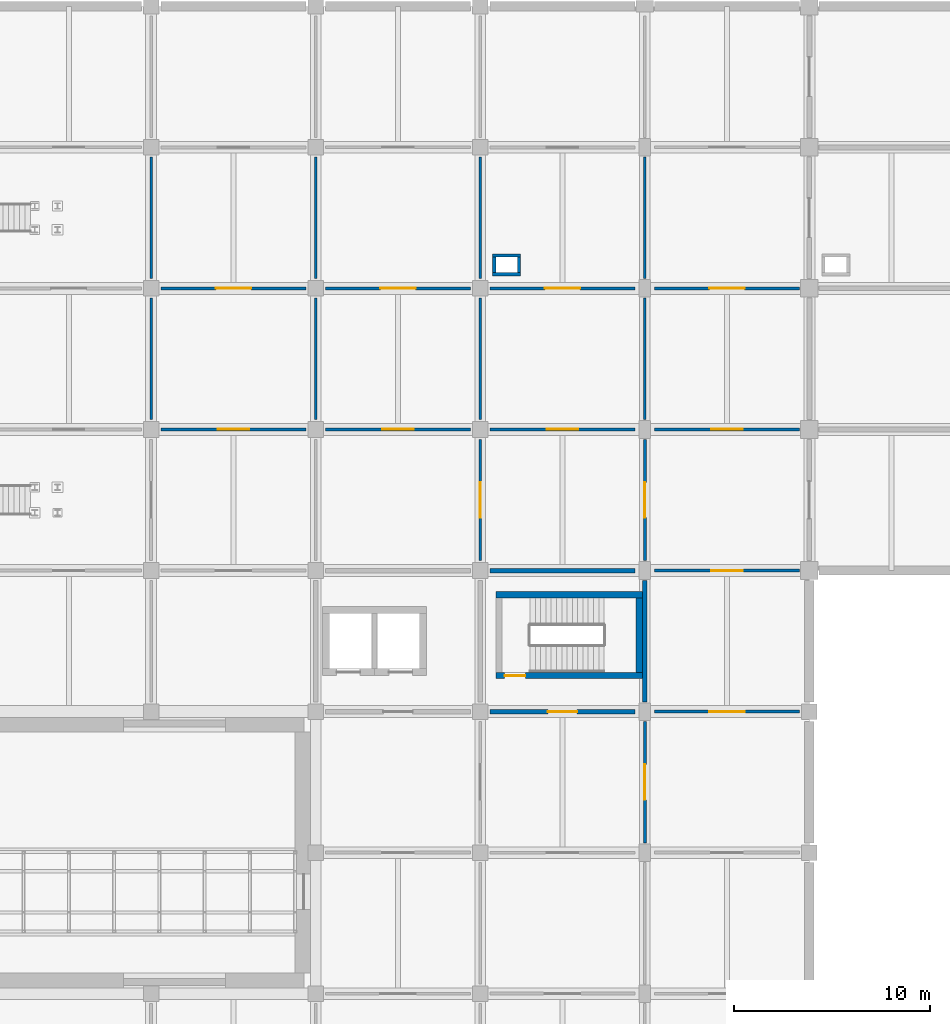
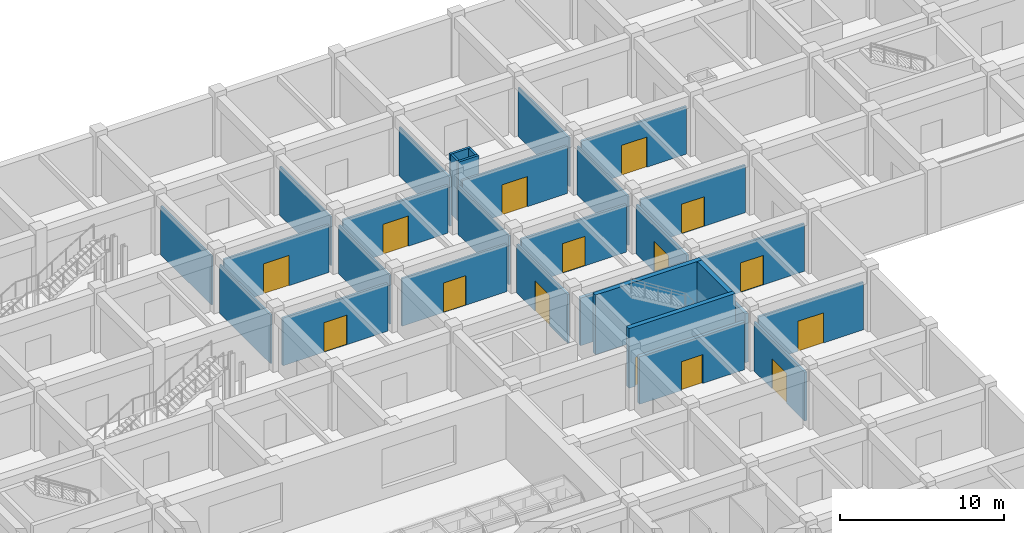
# One storey, part 20 of 32: 31 walls, 15 doors, 15 openings.
"""IFC4 building model written with IfcOpenShell, lengths in metres."""

from ifc_helpers import new_model, si_unit, derived_unit, direction, frame, frame_2d, origin, place, context, subcontext, project, spatial, rectangle, extrude, material, layer, layer_set, type_object, element, fill, save


model = new_model("IFC4")

# Units and contexts
model_context = context("Model", 3, precision=1e-05, world=origin(), true_north=direction((0.0, 1.0)))
body_context = subcontext(model_context, "Body", "Model", "MODEL_VIEW")
ifc_project = project(units=[si_unit("LENGTHUNIT", "METRE"), si_unit("AREAUNIT", "SQUARE_METRE"), si_unit("VOLUMEUNIT", "CUBIC_METRE"), si_unit("PLANEANGLEUNIT", "RADIAN"), si_unit("MASSUNIT", "GRAM", prefix="KILO"), derived_unit("THERMALTRANSMITTANCEUNIT", [(si_unit("MASSUNIT", "GRAM", prefix="KILO"), 1), (si_unit("TIMEUNIT", "SECOND"), -3), (si_unit("THERMODYNAMICTEMPERATUREUNIT", "KELVIN"), -1)])], contexts=[model_context])

# Site, building, storey
site_placement = place(None, origin())
site = spatial("IfcSite", under=ifc_project, at=site_placement, CompositionType="ELEMENT")
building_placement = place(site_placement, origin())
building = spatial("IfcBuilding", under=site, at=building_placement, Name="Veldstrom Oceanarium and Marine Research Institute", CompositionType="ELEMENT")
storey_placement = place(building_placement, frame((0.0, 0.0, -4.800048828125)))
storey = spatial("IfcBuildingStorey", under=building, at=storey_placement, Name="B01", CompositionType="ELEMENT", Elevation=-4.800048828125)

# Wall, opening, door
ifc_material_1 = material(Name="Masonry Fire Compartment Wall", Category="masonry")
ifc_layer_1 = layer(ifc_material_1, 0.22998046875)
ifc_layer_set_1 = layer_set([ifc_layer_1], Name="ARC-WAL-PT1")
wall_type_1 = type_object("IfcWallType", Name="ARC-WAL-PT1", PredefinedType="PARTITIONING", material=ifc_layer_set_1)
wall_1_placement = place(storey_placement, frame((50.89990234375, 36.0, 0.0), z_axis=(0.0, 0.0, 1.0), x_axis=(1.0, 0.0, 0.0)))
wall_1 = element("IfcWall", 1, at=wall_1_placement, inside=storey, type_object=wall_type_1, Name="Interior Partition PT1 B01-0401", PredefinedType="PARTITIONING", context=body_context, shape_type="SweptSolid", body=[
    extrude(rectangle(XDim=7.400146484375, YDim=0.22998046875, at=frame_2d((3.7001953125, 0.0))), origin(), (0.0, 0.0, 1.0), 3.545166015625),
])
opening_1_placement = place(wall_1_placement, frame((2.949951171875, 0.0, 0.0)))
opening_1 = element("IfcOpeningElement", 2, at=opening_1_placement, cuts=wall_1, Name="Opening D-B01-231", PredefinedType="OPENING", context=body_context, shape_type="SweptSolid", body=[
    extrude(rectangle(XDim=1.5, YDim=2.14990234375, at=frame_2d((0.75, 1.074951171875))), frame((0.0, 0.125, 0.0), z_axis=(0.0, -1.0, 0.0), x_axis=(1.0, 0.0, 0.0)), (0.0, 0.0, 1.0), 0.25),
])
ifc_material_2 = material(Name="Painted Steel Lobby Fire Door", Category="steel")
door_type_1 = type_object("IfcDoorType", Name="ARC-DOR-SD2", OperationType="DOUBLE_DOOR_SINGLE_SWING", PredefinedType="DOOR", material=ifc_material_2)
door_1_placement = place(opening_1_placement, frame((1.5, 0.0, 0.0), z_axis=(0.0, 0.0, 1.0), x_axis=(-1.0, 0.0, 0.0)))
door_1 = element("IfcDoor", 3, at=door_1_placement, inside=storey, type_object=door_type_1, Name="Interior Door D-B01-231", OperationType="DOUBLE_DOOR_SINGLE_SWING", OverallHeight=2.14990234375, OverallWidth=1.5, PredefinedType="DOOR", context=body_context, shape_type="SweptSolid", body=[
    extrude(rectangle(XDim=1.5, YDim=2.14990234375, at=frame_2d((0.75, 1.074951171875))), frame((0.0, 0.02490234375, 0.0), z_axis=(0.0, -1.0, 0.0), x_axis=(1.0, 0.0, 0.0)), (0.0, 0.0, 1.0), 0.050048828125),
])
fill(opening_1, door_1)

# Walls
wall_2_placement = place(storey_placement, frame((58.800048828125, 36.5, 0.0), z_axis=(0.0, 0.0, 1.0), x_axis=(0.0, 1.0, 0.0)))
element("IfcWall", 4, at=wall_2_placement, inside=storey, type_object=wall_type_1, Name="Interior Partition PT1 B01-0402", PredefinedType="PARTITIONING", context=body_context, shape_type="SweptSolid", body=[
    extrude(rectangle(XDim=6.199951171875, YDim=0.22998046875, at=frame_2d((3.10009765625, 0.0))), origin(), (0.0, 0.0, 1.0), 3.64501953125),
])
wall_3_placement = place(storey_placement, frame((50.89990234375, 43.199951171875, 0.0), z_axis=(0.0, 0.0, 1.0), x_axis=(1.0, 0.0, 0.0)))
element("IfcWall", 5, at=wall_3_placement, inside=storey, type_object=wall_type_1, Name="Interior Partition PT1 B01-0403", PredefinedType="PARTITIONING", context=body_context, shape_type="SweptSolid", body=[
    extrude(rectangle(XDim=7.400146484375, YDim=0.22998046875, at=frame_2d((3.7001953125, 0.0))), origin(), (0.0, 0.0, 1.0), 3.545166015625),
])

# Wall, opening, door
ifc_material_3 = material(Name="Drywall Corridor Partition", Category="gypsum")
ifc_layer_2 = layer(ifc_material_3, 0.155029296875)
ifc_layer_set_2 = layer_set([ifc_layer_2], Name="ARC-WAL-PT4")
wall_type_2 = type_object("IfcWallType", Name="ARC-WAL-PT4", PredefinedType="PARTITIONING", material=ifc_layer_set_2)
wall_4_placement = place(storey_placement, frame((34.10009765625, 50.39990234375, 0.0), z_axis=(0.0, 0.0, 1.0), x_axis=(1.0, 0.0, 0.0)))
wall_4 = element("IfcWall", 6, at=wall_4_placement, inside=storey, type_object=wall_type_2, Name="Interior Partition PT4 B01-0367", PredefinedType="PARTITIONING", context=body_context, shape_type="SweptSolid", body=[
    extrude(rectangle(XDim=7.39990234375, YDim=0.155029296875, at=frame_2d((3.699951171875, 0.0))), origin(), (0.0, 0.0, 1.0), 3.545166015625),
])
opening_2_placement = place(wall_4_placement, frame((2.89990234375, 0.0, 0.0)))
opening_2 = element("IfcOpeningElement", 7, at=opening_2_placement, cuts=wall_4, Name="Opening D-B01-213", PredefinedType="OPENING", context=body_context, shape_type="SweptSolid", body=[
    extrude(rectangle(XDim=1.60009765625, YDim=2.199951171875, at=frame_2d((0.800048828125, 1.10009765625))), frame((0.0, 0.08740234375, 0.0), z_axis=(0.0, -1.0, 0.0), x_axis=(1.0, 0.0, 0.0)), (0.0, 0.0, 1.0), 0.175048828125),
])
ifc_material_4 = material(Name="Acoustic Timber Corridor Door", Category="wood")
door_type_2 = type_object("IfcDoorType", Name="ARC-DOR-ID02", OperationType="DOUBLE_DOOR_SINGLE_SWING", PredefinedType="DOOR", material=ifc_material_4)
door_2_placement = place(opening_2_placement, frame((1.60009765625, 0.0, 0.0), z_axis=(0.0, 0.0, 1.0), x_axis=(-1.0, 0.0, 0.0)))
door_2 = element("IfcDoor", 8, at=door_2_placement, inside=storey, type_object=door_type_2, Name="Interior Door D-B01-213", OperationType="DOUBLE_DOOR_SINGLE_SWING", OverallHeight=2.199951171875, OverallWidth=1.60009765625, PredefinedType="DOOR", context=body_context, shape_type="SweptSolid", body=[
    extrude(rectangle(XDim=1.60009765625, YDim=2.199951171875, at=frame_2d((0.800048828125, 1.10009765625))), frame((0.0, 0.02490234375, 0.0), z_axis=(0.0, -1.0, 0.0), x_axis=(1.0, 0.0, 0.0)), (0.0, 0.0, 1.0), 0.050048828125),
])
fill(opening_2, door_2)

wall_5_placement = place(storey_placement, frame((42.5, 57.60009765625, 0.0), z_axis=(0.0, 0.0, 1.0), x_axis=(1.0, 0.0, 0.0)))
wall_5 = element("IfcWall", 9, at=wall_5_placement, inside=storey, type_object=wall_type_2, Name="Interior Partition PT4 B01-0388", PredefinedType="PARTITIONING", context=body_context, shape_type="SweptSolid", body=[
    extrude(rectangle(XDim=7.39990234375, YDim=0.155029296875, at=frame_2d((3.699951171875, 0.0))), origin(), (0.0, 0.0, 1.0), 3.545166015625),
])
opening_3_placement = place(wall_5_placement, frame((2.800048828125, 0.0, 0.0)))
opening_3 = element("IfcOpeningElement", 10, at=opening_3_placement, cuts=wall_5, Name="Opening D-B01-224", PredefinedType="OPENING", context=body_context, shape_type="SweptSolid", body=[
    extrude(rectangle(XDim=1.800048828125, YDim=2.25, at=frame_2d((0.89990234375, 1.125))), frame((0.0, 0.08740234375, 0.0), z_axis=(0.0, -1.0, 0.0), x_axis=(1.0, 0.0, 0.0)), (0.0, 0.0, 1.0), 0.175048828125),
])
ifc_material_5 = material(Name="Acoustic Timber Gallery Door", Category="wood")
door_type_3 = type_object("IfcDoorType", Name="ARC-DOR-ID01", OperationType="DOUBLE_DOOR_SINGLE_SWING", PredefinedType="DOOR", material=ifc_material_5)
door_3_placement = place(opening_3_placement, frame((1.800048828125, 0.0, 0.0), z_axis=(0.0, 0.0, 1.0), x_axis=(-1.0, 0.0, 0.0)))
door_3 = element("IfcDoor", 11, at=door_3_placement, inside=storey, type_object=door_type_3, Name="Interior Door D-B01-224", OperationType="DOUBLE_DOOR_SINGLE_SWING", OverallHeight=2.25, OverallWidth=1.800048828125, PredefinedType="DOOR", context=body_context, shape_type="SweptSolid", body=[
    extrude(rectangle(XDim=1.800048828125, YDim=2.25, at=frame_2d((0.89990234375, 1.125))), frame((0.0, 0.02490234375, 0.0), z_axis=(0.0, -1.0, 0.0), x_axis=(1.0, 0.0, 0.0)), (0.0, 0.0, 1.0), 0.050048828125),
])
fill(opening_3, door_3)

wall_6_placement = place(storey_placement, frame((58.800048828125, 29.300048828125, 0.0), z_axis=(0.0, 0.0, 1.0), x_axis=(0.0, 1.0, 0.0)))
wall_6 = element("IfcWall", 12, at=wall_6_placement, inside=storey, type_object=wall_type_2, Name="Interior Partition PT4 B01-0400", PredefinedType="PARTITIONING", context=body_context, shape_type="SweptSolid", body=[
    extrude(rectangle(XDim=6.199951171875, YDim=0.155029296875, at=frame_2d((3.10009765625, 0.0))), origin(), (0.0, 0.0, 1.0), 3.64501953125),
])
opening_4_placement = place(wall_6_placement, frame((2.199951171875, 0.0, 0.0)))
opening_4 = element("IfcOpeningElement", 13, at=opening_4_placement, cuts=wall_6, Name="Opening D-B01-230", PredefinedType="OPENING", context=body_context, shape_type="SweptSolid", body=[
    extrude(rectangle(XDim=1.800048828125, YDim=2.25, at=frame_2d((0.89990234375, 1.125))), frame((0.0, 0.08740234375, 0.0), z_axis=(0.0, -1.0, 0.0), x_axis=(1.0, 0.0, 0.0)), (0.0, 0.0, 1.0), 0.175048828125),
])
door_4_placement = place(opening_4_placement, origin())
door_4 = element("IfcDoor", 14, at=door_4_placement, inside=storey, type_object=door_type_3, Name="Interior Door D-B01-230", OperationType="DOUBLE_DOOR_SINGLE_SWING", OverallHeight=2.25, OverallWidth=1.800048828125, PredefinedType="DOOR", context=body_context, shape_type="SweptSolid", body=[
    extrude(rectangle(XDim=1.800048828125, YDim=2.25, at=frame_2d((0.89990234375, 1.125))), frame((0.0, 0.02490234375, 0.0), z_axis=(0.0, -1.0, 0.0), x_axis=(1.0, 0.0, 0.0)), (0.0, 0.0, 1.0), 0.050048828125),
])
fill(opening_4, door_4)

wall_7_placement = place(storey_placement, frame((58.800048828125, 43.699951171875, 0.0), z_axis=(0.0, 0.0, 1.0), x_axis=(0.0, 1.0, 0.0)))
wall_7 = element("IfcWall", 15, at=wall_7_placement, inside=storey, type_object=wall_type_2, Name="Interior Partition PT4 B01-0404", PredefinedType="PARTITIONING", context=body_context, shape_type="SweptSolid", body=[
    extrude(rectangle(XDim=6.199951171875, YDim=0.155029296875, at=frame_2d((3.10009765625, 0.0))), origin(), (0.0, 0.0, 1.0), 3.64501953125),
])
opening_5_placement = place(wall_7_placement, frame((2.199951171875, 0.0, 0.0)))
opening_5 = element("IfcOpeningElement", 16, at=opening_5_placement, cuts=wall_7, Name="Opening D-B01-232", PredefinedType="OPENING", context=body_context, shape_type="SweptSolid", body=[
    extrude(rectangle(XDim=1.800048828125, YDim=2.25, at=frame_2d((0.89990234375, 1.125))), frame((0.0, 0.08740234375, 0.0), z_axis=(0.0, -1.0, 0.0), x_axis=(1.0, 0.0, 0.0)), (0.0, 0.0, 1.0), 0.175048828125),
])
door_5_placement = place(opening_5_placement, origin())
door_5 = element("IfcDoor", 17, at=door_5_placement, inside=storey, type_object=door_type_3, Name="Interior Door D-B01-232", OperationType="DOUBLE_DOOR_SINGLE_SWING", OverallHeight=2.25, OverallWidth=1.800048828125, PredefinedType="DOOR", context=body_context, shape_type="SweptSolid", body=[
    extrude(rectangle(XDim=1.800048828125, YDim=2.25, at=frame_2d((0.89990234375, 1.125))), frame((0.0, 0.02490234375, 0.0), z_axis=(0.0, -1.0, 0.0), x_axis=(1.0, 0.0, 0.0)), (0.0, 0.0, 1.0), 0.050048828125),
])
fill(opening_5, door_5)

wall_8_placement = place(storey_placement, frame((50.89990234375, 50.39990234375, 0.0), z_axis=(0.0, 0.0, 1.0), x_axis=(1.0, 0.0, 0.0)))
wall_8 = element("IfcWall", 18, at=wall_8_placement, inside=storey, type_object=wall_type_2, Name="Interior Partition PT4 B01-0405", PredefinedType="PARTITIONING", context=body_context, shape_type="SweptSolid", body=[
    extrude(rectangle(XDim=7.400146484375, YDim=0.155029296875, at=frame_2d((3.7001953125, 0.0))), origin(), (0.0, 0.0, 1.0), 3.545166015625),
])
opening_6_placement = place(wall_8_placement, frame((2.89990234375, 0.0, 0.0)))
opening_6 = element("IfcOpeningElement", 19, at=opening_6_placement, cuts=wall_8, Name="Opening D-B01-233", PredefinedType="OPENING", context=body_context, shape_type="SweptSolid", body=[
    extrude(rectangle(XDim=1.60009765625, YDim=2.199951171875, at=frame_2d((0.800048828125, 1.10009765625))), frame((0.0, 0.08740234375, 0.0), z_axis=(0.0, -1.0, 0.0), x_axis=(1.0, 0.0, 0.0)), (0.0, 0.0, 1.0), 0.175048828125),
])
door_6_placement = place(opening_6_placement, frame((1.60009765625, 0.0, 0.0), z_axis=(0.0, 0.0, 1.0), x_axis=(-1.0, 0.0, 0.0)))
door_6 = element("IfcDoor", 20, at=door_6_placement, inside=storey, type_object=door_type_2, Name="Interior Door D-B01-233", OperationType="DOUBLE_DOOR_SINGLE_SWING", OverallHeight=2.199951171875, OverallWidth=1.60009765625, PredefinedType="DOOR", context=body_context, shape_type="SweptSolid", body=[
    extrude(rectangle(XDim=1.60009765625, YDim=2.199951171875, at=frame_2d((0.800048828125, 1.10009765625))), frame((0.0, 0.02490234375, 0.0), z_axis=(0.0, -1.0, 0.0), x_axis=(1.0, 0.0, 0.0)), (0.0, 0.0, 1.0), 0.050048828125),
])
fill(opening_6, door_6)

wall_9_placement = place(storey_placement, frame((59.300048828125, 43.199951171875, 0.0), z_axis=(0.0, 0.0, 1.0), x_axis=(1.0, 0.0, 0.0)))
wall_9 = element("IfcWall", 21, at=wall_9_placement, inside=storey, type_object=wall_type_2, Name="Interior Partition PT4 B01-0416", PredefinedType="PARTITIONING", context=body_context, shape_type="SweptSolid", body=[
    extrude(rectangle(XDim=7.39990234375, YDim=0.155029296875, at=frame_2d((3.699951171875, 0.0))), origin(), (0.0, 0.0, 1.0), 3.545166015625),
])
opening_7_placement = place(wall_9_placement, frame((2.89990234375, 0.0, 0.0)))
opening_7 = element("IfcOpeningElement", 22, at=opening_7_placement, cuts=wall_9, Name="Opening D-B01-241", PredefinedType="OPENING", context=body_context, shape_type="SweptSolid", body=[
    extrude(rectangle(XDim=1.60009765625, YDim=2.199951171875, at=frame_2d((0.800048828125, 1.10009765625))), frame((0.0, 0.08740234375, 0.0), z_axis=(0.0, -1.0, 0.0), x_axis=(1.0, 0.0, 0.0)), (0.0, 0.0, 1.0), 0.175048828125),
])
door_7_placement = place(opening_7_placement, frame((1.60009765625, 0.0, 0.0), z_axis=(0.0, 0.0, 1.0), x_axis=(-1.0, 0.0, 0.0)))
door_7 = element("IfcDoor", 23, at=door_7_placement, inside=storey, type_object=door_type_2, Name="Interior Door D-B01-241", OperationType="DOUBLE_DOOR_SINGLE_SWING", OverallHeight=2.199951171875, OverallWidth=1.60009765625, PredefinedType="DOOR", context=body_context, shape_type="SweptSolid", body=[
    extrude(rectangle(XDim=1.60009765625, YDim=2.199951171875, at=frame_2d((0.800048828125, 1.10009765625))), frame((0.0, 0.02490234375, 0.0), z_axis=(0.0, -1.0, 0.0), x_axis=(1.0, 0.0, 0.0)), (0.0, 0.0, 1.0), 0.050048828125),
])
fill(opening_7, door_7)

wall_10_placement = place(storey_placement, frame((59.300048828125, 57.60009765625, 0.0), z_axis=(0.0, 0.0, 1.0), x_axis=(1.0, 0.0, 0.0)))
wall_10 = element("IfcWall", 24, at=wall_10_placement, inside=storey, type_object=wall_type_2, Name="Interior Partition PT4 B01-0420", PredefinedType="PARTITIONING", context=body_context, shape_type="SweptSolid", body=[
    extrude(rectangle(XDim=7.39990234375, YDim=0.155029296875, at=frame_2d((3.699951171875, 0.0))), origin(), (0.0, 0.0, 1.0), 3.545166015625),
])
opening_8_placement = place(wall_10_placement, frame((2.800048828125, 0.0, 0.0)))
opening_8 = element("IfcOpeningElement", 25, at=opening_8_placement, cuts=wall_10, Name="Opening D-B01-244", PredefinedType="OPENING", context=body_context, shape_type="SweptSolid", body=[
    extrude(rectangle(XDim=1.800048828125, YDim=2.25, at=frame_2d((0.89990234375, 1.125))), frame((0.0, 0.08740234375, 0.0), z_axis=(0.0, -1.0, 0.0), x_axis=(1.0, 0.0, 0.0)), (0.0, 0.0, 1.0), 0.175048828125),
])
door_8_placement = place(opening_8_placement, frame((1.800048828125, 0.0, 0.0), z_axis=(0.0, 0.0, 1.0), x_axis=(-1.0, 0.0, 0.0)))
door_8 = element("IfcDoor", 26, at=door_8_placement, inside=storey, type_object=door_type_3, Name="Interior Door D-B01-244", OperationType="DOUBLE_DOOR_SINGLE_SWING", OverallHeight=2.25, OverallWidth=1.800048828125, PredefinedType="DOOR", context=body_context, shape_type="SweptSolid", body=[
    extrude(rectangle(XDim=1.800048828125, YDim=2.25, at=frame_2d((0.89990234375, 1.125))), frame((0.0, 0.02490234375, 0.0), z_axis=(0.0, -1.0, 0.0), x_axis=(1.0, 0.0, 0.0)), (0.0, 0.0, 1.0), 0.050048828125),
])
fill(opening_8, door_8)

ifc_material_6 = material(Name="Moisture-Resistant Wet-Area Partition", Category="masonry")
ifc_layer_3 = layer(ifc_material_6, 0.139892578125)
ifc_layer_set_3 = layer_set([ifc_layer_3], Name="ARC-WAL-PT5")
wall_type_3 = type_object("IfcWallType", Name="ARC-WAL-PT5", PredefinedType="PARTITIONING", material=ifc_layer_set_3)
wall_11_placement = place(storey_placement, frame((34.10009765625, 57.60009765625, 0.0), z_axis=(0.0, 0.0, 1.0), x_axis=(1.0, 0.0, 0.0)))
wall_11 = element("IfcWall", 27, at=wall_11_placement, inside=storey, type_object=wall_type_3, Name="Interior Partition PT5 B01-0369", PredefinedType="PARTITIONING", context=body_context, shape_type="SweptSolid", body=[
    extrude(rectangle(XDim=7.39990234375, YDim=0.139892578125, at=frame_2d((3.699951171875, 0.0))), origin(), (0.0, 0.0, 1.0), 3.545166015625),
])
opening_9_placement = place(wall_11_placement, frame((2.800048828125, 0.0, 0.0)))
opening_9 = element("IfcOpeningElement", 28, at=opening_9_placement, cuts=wall_11, Name="Opening D-B01-214", PredefinedType="OPENING", context=body_context, shape_type="SweptSolid", body=[
    extrude(rectangle(XDim=1.800048828125, YDim=2.25, at=frame_2d((0.89990234375, 1.125))), frame((0.0, 0.079833984375, 0.0), z_axis=(0.0, -1.0, 0.0), x_axis=(1.0, 0.0, 0.0)), (0.0, 0.0, 1.0), 0.159912109375),
])
door_9_placement = place(opening_9_placement, origin())
door_9 = element("IfcDoor", 29, at=door_9_placement, inside=storey, type_object=door_type_3, Name="Interior Door D-B01-214", OperationType="DOUBLE_DOOR_SINGLE_SWING", OverallHeight=2.25, OverallWidth=1.800048828125, PredefinedType="DOOR", context=body_context, shape_type="SweptSolid", body=[
    extrude(rectangle(XDim=1.800048828125, YDim=2.25, at=frame_2d((0.89990234375, 1.125))), frame((0.0, 0.02490234375, 0.0), z_axis=(0.0, -1.0, 0.0), x_axis=(1.0, 0.0, 0.0)), (0.0, 0.0, 1.0), 0.050048828125),
])
fill(opening_9, door_9)

wall_12_placement = place(storey_placement, frame((50.39990234375, 43.699951171875, 0.0), z_axis=(0.0, 0.0, 1.0), x_axis=(0.0, 1.0, 0.0)))
wall_12 = element("IfcWall", 30, at=wall_12_placement, inside=storey, type_object=wall_type_3, Name="Interior Partition PT5 B01-0385", PredefinedType="PARTITIONING", context=body_context, shape_type="SweptSolid", body=[
    extrude(rectangle(XDim=6.199951171875, YDim=0.139892578125, at=frame_2d((3.10009765625, 0.0))), origin(), (0.0, 0.0, 1.0), 3.64501953125),
])
opening_10_placement = place(wall_12_placement, frame((2.199951171875, 0.0, 0.0)))
opening_10 = element("IfcOpeningElement", 31, at=opening_10_placement, cuts=wall_12, Name="Opening D-B01-222", PredefinedType="OPENING", context=body_context, shape_type="SweptSolid", body=[
    extrude(rectangle(XDim=1.800048828125, YDim=2.25, at=frame_2d((0.89990234375, 1.125))), frame((0.0, 0.079833984375, 0.0), z_axis=(0.0, -1.0, 0.0), x_axis=(1.0, 0.0, 0.0)), (0.0, 0.0, 1.0), 0.159912109375),
])
door_10_placement = place(opening_10_placement, frame((1.800048828125, 0.0, 0.0), z_axis=(0.0, 0.0, 1.0), x_axis=(-1.0, 0.0, 0.0)))
door_10 = element("IfcDoor", 32, at=door_10_placement, inside=storey, type_object=door_type_3, Name="Interior Door D-B01-222", OperationType="DOUBLE_DOOR_SINGLE_SWING", OverallHeight=2.25, OverallWidth=1.800048828125, PredefinedType="DOOR", context=body_context, shape_type="SweptSolid", body=[
    extrude(rectangle(XDim=1.800048828125, YDim=2.25, at=frame_2d((0.89990234375, 1.125))), frame((0.0, 0.02490234375, 0.0), z_axis=(0.0, -1.0, 0.0), x_axis=(1.0, 0.0, 0.0)), (0.0, 0.0, 1.0), 0.050048828125),
])
fill(opening_10, door_10)

wall_13_placement = place(storey_placement, frame((42.5, 50.39990234375, 0.0), z_axis=(0.0, 0.0, 1.0), x_axis=(1.0, 0.0, 0.0)))
wall_13 = element("IfcWall", 33, at=wall_13_placement, inside=storey, type_object=wall_type_3, Name="Interior Partition PT5 B01-0386", PredefinedType="PARTITIONING", context=body_context, shape_type="SweptSolid", body=[
    extrude(rectangle(XDim=7.39990234375, YDim=0.139892578125, at=frame_2d((3.699951171875, 0.0))), origin(), (0.0, 0.0, 1.0), 3.545166015625),
])
opening_11_placement = place(wall_13_placement, frame((2.89990234375, 0.0, 0.0)))
opening_11 = element("IfcOpeningElement", 34, at=opening_11_placement, cuts=wall_13, Name="Opening D-B01-223", PredefinedType="OPENING", context=body_context, shape_type="SweptSolid", body=[
    extrude(rectangle(XDim=1.60009765625, YDim=2.199951171875, at=frame_2d((0.800048828125, 1.10009765625))), frame((0.0, 0.079833984375, 0.0), z_axis=(0.0, -1.0, 0.0), x_axis=(1.0, 0.0, 0.0)), (0.0, 0.0, 1.0), 0.159912109375),
])
door_11_placement = place(opening_11_placement, origin())
door_11 = element("IfcDoor", 35, at=door_11_placement, inside=storey, type_object=door_type_2, Name="Interior Door D-B01-223", OperationType="DOUBLE_DOOR_SINGLE_SWING", OverallHeight=2.199951171875, OverallWidth=1.60009765625, PredefinedType="DOOR", context=body_context, shape_type="SweptSolid", body=[
    extrude(rectangle(XDim=1.60009765625, YDim=2.199951171875, at=frame_2d((0.800048828125, 1.10009765625))), frame((0.0, 0.02490234375, 0.0), z_axis=(0.0, -1.0, 0.0), x_axis=(1.0, 0.0, 0.0)), (0.0, 0.0, 1.0), 0.050048828125),
])
fill(opening_11, door_11)

wall_14_placement = place(storey_placement, frame((50.89990234375, 57.60009765625, 0.0), z_axis=(0.0, 0.0, 1.0), x_axis=(1.0, 0.0, 0.0)))
wall_14 = element("IfcWall", 36, at=wall_14_placement, inside=storey, type_object=wall_type_3, Name="Interior Partition PT5 B01-0407", PredefinedType="PARTITIONING", context=body_context, shape_type="SweptSolid", body=[
    extrude(rectangle(XDim=7.400146484375, YDim=0.139892578125, at=frame_2d((3.7001953125, 0.0))), origin(), (0.0, 0.0, 1.0), 3.545166015625),
])
opening_12_placement = place(wall_14_placement, frame((2.800048828125, 0.0, 0.0)))
opening_12 = element("IfcOpeningElement", 37, at=opening_12_placement, cuts=wall_14, Name="Opening D-B01-234", PredefinedType="OPENING", context=body_context, shape_type="SweptSolid", body=[
    extrude(rectangle(XDim=1.800048828125, YDim=2.25, at=frame_2d((0.89990234375, 1.125))), frame((0.0, 0.079833984375, 0.0), z_axis=(0.0, -1.0, 0.0), x_axis=(1.0, 0.0, 0.0)), (0.0, 0.0, 1.0), 0.159912109375),
])
door_12_placement = place(opening_12_placement, origin())
door_12 = element("IfcDoor", 38, at=door_12_placement, inside=storey, type_object=door_type_3, Name="Interior Door D-B01-234", OperationType="DOUBLE_DOOR_SINGLE_SWING", OverallHeight=2.25, OverallWidth=1.800048828125, PredefinedType="DOOR", context=body_context, shape_type="SweptSolid", body=[
    extrude(rectangle(XDim=1.800048828125, YDim=2.25, at=frame_2d((0.89990234375, 1.125))), frame((0.0, 0.02490234375, 0.0), z_axis=(0.0, -1.0, 0.0), x_axis=(1.0, 0.0, 0.0)), (0.0, 0.0, 1.0), 0.050048828125),
])
fill(opening_12, door_12)

wall_15_placement = place(storey_placement, frame((59.300048828125, 36.0, 0.0), z_axis=(0.0, 0.0, 1.0), x_axis=(1.0, 0.0, 0.0)))
wall_15 = element("IfcWall", 39, at=wall_15_placement, inside=storey, type_object=wall_type_3, Name="Interior Partition PT5 B01-0415", PredefinedType="PARTITIONING", context=body_context, shape_type="SweptSolid", body=[
    extrude(rectangle(XDim=7.39990234375, YDim=0.139892578125, at=frame_2d((3.699951171875, 0.0))), origin(), (0.0, 0.0, 1.0), 3.545166015625),
])
opening_13_placement = place(wall_15_placement, frame((2.800048828125, 0.0, 0.0)))
opening_13 = element("IfcOpeningElement", 40, at=opening_13_placement, cuts=wall_15, Name="Opening D-B01-240", PredefinedType="OPENING", context=body_context, shape_type="SweptSolid", body=[
    extrude(rectangle(XDim=1.800048828125, YDim=2.25, at=frame_2d((0.89990234375, 1.125))), frame((0.0, 0.079833984375, 0.0), z_axis=(0.0, -1.0, 0.0), x_axis=(1.0, 0.0, 0.0)), (0.0, 0.0, 1.0), 0.159912109375),
])
door_13_placement = place(opening_13_placement, origin())
door_13 = element("IfcDoor", 41, at=door_13_placement, inside=storey, type_object=door_type_3, Name="Interior Door D-B01-240", OperationType="DOUBLE_DOOR_SINGLE_SWING", OverallHeight=2.25, OverallWidth=1.800048828125, PredefinedType="DOOR", context=body_context, shape_type="SweptSolid", body=[
    extrude(rectangle(XDim=1.800048828125, YDim=2.25, at=frame_2d((0.89990234375, 1.125))), frame((0.0, 0.02490234375, 0.0), z_axis=(0.0, -1.0, 0.0), x_axis=(1.0, 0.0, 0.0)), (0.0, 0.0, 1.0), 0.050048828125),
])
fill(opening_13, door_13)

wall_16_placement = place(storey_placement, frame((59.300048828125, 50.39990234375, 0.0), z_axis=(0.0, 0.0, 1.0), x_axis=(1.0, 0.0, 0.0)))
wall_16 = element("IfcWall", 42, at=wall_16_placement, inside=storey, type_object=wall_type_3, Name="Interior Partition PT5 B01-0418", PredefinedType="PARTITIONING", context=body_context, shape_type="SweptSolid", body=[
    extrude(rectangle(XDim=7.39990234375, YDim=0.139892578125, at=frame_2d((3.699951171875, 0.0))), origin(), (0.0, 0.0, 1.0), 3.545166015625),
])
opening_14_placement = place(wall_16_placement, frame((2.89990234375, 0.0, 0.0)))
opening_14 = element("IfcOpeningElement", 43, at=opening_14_placement, cuts=wall_16, Name="Opening D-B01-243", PredefinedType="OPENING", context=body_context, shape_type="SweptSolid", body=[
    extrude(rectangle(XDim=1.60009765625, YDim=2.199951171875, at=frame_2d((0.800048828125, 1.10009765625))), frame((0.0, 0.079833984375, 0.0), z_axis=(0.0, -1.0, 0.0), x_axis=(1.0, 0.0, 0.0)), (0.0, 0.0, 1.0), 0.159912109375),
])
door_14_placement = place(opening_14_placement, origin())
door_14 = element("IfcDoor", 44, at=door_14_placement, inside=storey, type_object=door_type_2, Name="Interior Door D-B01-243", OperationType="DOUBLE_DOOR_SINGLE_SWING", OverallHeight=2.199951171875, OverallWidth=1.60009765625, PredefinedType="DOOR", context=body_context, shape_type="SweptSolid", body=[
    extrude(rectangle(XDim=1.60009765625, YDim=2.199951171875, at=frame_2d((0.800048828125, 1.10009765625))), frame((0.0, 0.02490234375, 0.0), z_axis=(0.0, -1.0, 0.0), x_axis=(1.0, 0.0, 0.0)), (0.0, 0.0, 1.0), 0.050048828125),
])
fill(opening_14, door_14)

# Walls
ifc_material_7 = material(Name="Lightweight Studio Partition", Category="gypsum")
ifc_layer_4 = layer(ifc_material_7, 0.1201171875)
ifc_layer_set_4 = layer_set([ifc_layer_4], Name="ARC-WAL-PT6")
wall_type_4 = type_object("IfcWallType", Name="ARC-WAL-PT6", PredefinedType="PARTITIONING", material=ifc_layer_set_4)
wall_17_placement = place(storey_placement, frame((33.60009765625, 50.89990234375, 0.0), z_axis=(0.0, 0.0, 1.0), x_axis=(0.0, 1.0, 0.0)))
element("IfcWall", 45, at=wall_17_placement, inside=storey, type_object=wall_type_4, Name="Interior Partition PT6 B01-0354", PredefinedType="PARTITIONING", context=body_context, shape_type="SweptSolid", body=[
    extrude(rectangle(XDim=6.2001953125, YDim=0.1201171875, at=frame_2d((3.10009765625, 0.0))), origin(), (0.0, 0.0, 1.0), 3.64501953125),
])
wall_18_placement = place(storey_placement, frame((33.60009765625, 58.10009765625, 0.0), z_axis=(0.0, 0.0, 1.0), x_axis=(0.0, 1.0, 0.0)))
element("IfcWall", 46, at=wall_18_placement, inside=storey, type_object=wall_type_4, Name="Interior Partition PT6 B01-0356", PredefinedType="PARTITIONING", context=body_context, shape_type="SweptSolid", body=[
    extrude(rectangle(XDim=6.199951171875, YDim=0.1201171875, at=frame_2d((3.10009765625, 0.0))), origin(), (0.0, 0.0, 1.0), 3.64501953125),
])
wall_19_placement = place(storey_placement, frame((42.0, 50.89990234375, 0.0), z_axis=(0.0, 0.0, 1.0), x_axis=(0.0, 1.0, 0.0)))
element("IfcWall", 47, at=wall_19_placement, inside=storey, type_object=wall_type_4, Name="Interior Partition PT6 B01-0368", PredefinedType="PARTITIONING", context=body_context, shape_type="SweptSolid", body=[
    extrude(rectangle(XDim=6.2001953125, YDim=0.1201171875, at=frame_2d((3.10009765625, 0.0))), origin(), (0.0, 0.0, 1.0), 3.64501953125),
])
wall_20_placement = place(storey_placement, frame((42.0, 58.10009765625, 0.0), z_axis=(0.0, 0.0, 1.0), x_axis=(0.0, 1.0, 0.0)))
element("IfcWall", 48, at=wall_20_placement, inside=storey, type_object=wall_type_4, Name="Interior Partition PT6 B01-0370", PredefinedType="PARTITIONING", context=body_context, shape_type="SweptSolid", body=[
    extrude(rectangle(XDim=6.199951171875, YDim=0.1201171875, at=frame_2d((3.10009765625, 0.0))), origin(), (0.0, 0.0, 1.0), 3.64501953125),
])
wall_21_placement = place(storey_placement, frame((50.39990234375, 50.89990234375, 0.0), z_axis=(0.0, 0.0, 1.0), x_axis=(0.0, 1.0, 0.0)))
element("IfcWall", 49, at=wall_21_placement, inside=storey, type_object=wall_type_4, Name="Interior Partition PT6 B01-0387", PredefinedType="PARTITIONING", context=body_context, shape_type="SweptSolid", body=[
    extrude(rectangle(XDim=6.2001953125, YDim=0.1201171875, at=frame_2d((3.10009765625, 0.0))), origin(), (0.0, 0.0, 1.0), 3.64501953125),
])
wall_22_placement = place(storey_placement, frame((50.39990234375, 58.10009765625, 0.0), z_axis=(0.0, 0.0, 1.0), x_axis=(0.0, 1.0, 0.0)))
element("IfcWall", 50, at=wall_22_placement, inside=storey, type_object=wall_type_4, Name="Interior Partition PT6 B01-0389", PredefinedType="PARTITIONING", context=body_context, shape_type="SweptSolid", body=[
    extrude(rectangle(XDim=6.199951171875, YDim=0.1201171875, at=frame_2d((3.10009765625, 0.0))), origin(), (0.0, 0.0, 1.0), 3.64501953125),
])
wall_23_placement = place(storey_placement, frame((58.800048828125, 50.89990234375, 0.0), z_axis=(0.0, 0.0, 1.0), x_axis=(0.0, 1.0, 0.0)))
element("IfcWall", 51, at=wall_23_placement, inside=storey, type_object=wall_type_4, Name="Interior Partition PT6 B01-0406", PredefinedType="PARTITIONING", context=body_context, shape_type="SweptSolid", body=[
    extrude(rectangle(XDim=6.2001953125, YDim=0.1201171875, at=frame_2d((3.10009765625, 0.0))), origin(), (0.0, 0.0, 1.0), 3.64501953125),
])
wall_24_placement = place(storey_placement, frame((58.800048828125, 58.10009765625, 0.0), z_axis=(0.0, 0.0, 1.0), x_axis=(0.0, 1.0, 0.0)))
element("IfcWall", 52, at=wall_24_placement, inside=storey, type_object=wall_type_4, Name="Interior Partition PT6 B01-0408", PredefinedType="PARTITIONING", context=body_context, shape_type="SweptSolid", body=[
    extrude(rectangle(XDim=6.199951171875, YDim=0.1201171875, at=frame_2d((3.10009765625, 0.0))), origin(), (0.0, 0.0, 1.0), 3.64501953125),
])
ifc_material_8 = material(Name="Service Riser Fire Shaft Wall", Category="masonry")
ifc_layer_5 = layer(ifc_material_8, 0.1650390625)
ifc_layer_set_5 = layer_set([ifc_layer_5], Name="ARC-WAL-PT9")
wall_type_5 = type_object("IfcWallType", Name="ARC-WAL-PT9", PredefinedType="PARTITIONING", material=ifc_layer_set_5)
for number, where, z_axis, x_axis, name in (
    (53, (51.034912109375, 58.3173828125, 0.0), (0.0, 0.0, 1.0), (1.0, 0.0, 0.0), "Service Riser Fire Shaft Wall B01-WN-S"),
    (54, (51.034912109375, 59.282470703125, 0.0), (0.0, 0.0, 1.0), (1.0, 0.0, 0.0), "Service Riser Fire Shaft Wall B01-WN-N"),
):
    element("IfcWall", number, at=place(storey_placement, frame(where, z_axis=z_axis, x_axis=x_axis)), inside=storey, type_object=wall_type_5, Name=name, PredefinedType="PARTITIONING", context=body_context, shape_type="SweptSolid", body=[
        extrude(rectangle(XDim=1.43017578125, YDim=0.1650390625, at=frame_2d((0.715087890625, 0.0))), origin(), (0.0, 0.0, 1.0), 4.449951171875),
    ])
for number, where, z_axis, x_axis, name in (
    (55, (51.117431640625, 58.39990234375, 0.0), (0.0, 0.0, 1.0), (0.0, 1.0, 0.0), "Service Riser Fire Shaft Wall B01-WN-W"),
    (56, (52.382568359375, 58.39990234375, 0.0), (0.0, 0.0, 1.0), (0.0, 1.0, 0.0), "Service Riser Fire Shaft Wall B01-WN-E"),
):
    element("IfcWall", number, at=place(storey_placement, frame(where, z_axis=z_axis, x_axis=x_axis)), inside=storey, type_object=wall_type_5, Name=name, PredefinedType="PARTITIONING", context=body_context, shape_type="SweptSolid", body=[
        extrude(rectangle(XDim=0.800048828125, YDim=0.1650390625, at=frame_2d((0.39990234375, 0.0))), origin(), (0.0, 0.0, 1.0), 4.449951171875),
    ])

# Wall, opening, door
ifc_material_9 = material(Name="Concrete C40/50", Category="concrete")
ifc_layer_6 = layer(ifc_material_9, 0.320068359375)
ifc_layer_set_6 = layer_set([ifc_layer_6], Name="STR-WAL-WC3")
wall_type_6 = type_object("IfcWallType", Name="STR-WAL-WC3", PredefinedType="SHEAR", material=ifc_layer_set_6)
wall_25_placement = place(storey_placement, frame((51.199951171875, 37.840087890625, 0.0), z_axis=(0.0, 0.0, 1.0), x_axis=(1.0, 0.0, 0.0)))
wall_25 = element("IfcWall", 57, at=wall_25_placement, inside=storey, type_object=wall_type_6, Name="Stair Core Shear Wall SC5-B01-S", PredefinedType="SHEAR", context=body_context, shape_type="SweptSolid", body=[
    extrude(rectangle(XDim=7.47998046875, YDim=0.320068359375, at=frame_2d((3.739990234375, 0.0))), origin(), (0.0, 0.0, 1.0), 4.449951171875),
])
opening_15_placement = place(wall_25_placement, frame((0.449951171875, 0.0, 0.0)))
opening_15 = element("IfcOpeningElement", 58, at=opening_15_placement, cuts=wall_25, Name="Opening D-ST5-B01", PredefinedType="OPENING", context=body_context, shape_type="SweptSolid", body=[
    extrude(rectangle(XDim=1.050048828125, YDim=2.14990234375, at=frame_2d((0.52490234375, 1.074951171875))), frame((0.0, 0.169921875, 0.0), z_axis=(0.0, -1.0, 0.0), x_axis=(1.0, 0.0, 0.0)), (0.0, 0.0, 1.0), 0.340087890625),
])
ifc_material_10 = material(Name="Painted Steel Fire Door", Category="steel")
door_type_4 = type_object("IfcDoorType", Name="ARC-DOR-SD1", OperationType="SINGLE_SWING_LEFT", PredefinedType="DOOR", material=ifc_material_10)
door_15_placement = place(opening_15_placement, origin())
door_15 = element("IfcDoor", 59, at=door_15_placement, inside=storey, type_object=door_type_4, Name="Escape Stair Fire Door D-ST5-B01", OperationType="SINGLE_SWING_LEFT", OverallHeight=2.14990234375, OverallWidth=1.050048828125, PredefinedType="DOOR", context=body_context, shape_type="SweptSolid", body=[
    extrude(rectangle(XDim=1.050048828125, YDim=2.14990234375, at=frame_2d((0.52490234375, 1.074951171875))), frame((0.0, 0.02490234375, 0.0), z_axis=(0.0, -1.0, 0.0), x_axis=(1.0, 0.0, 0.0)), (0.0, 0.0, 1.0), 0.050048828125),
])
fill(opening_15, door_15)

# Walls
wall_26_placement = place(storey_placement, frame((51.199951171875, 41.9599609375, 0.0), z_axis=(0.0, 0.0, 1.0), x_axis=(1.0, 0.0, 0.0)))
element("IfcWall", 60, at=wall_26_placement, inside=storey, type_object=wall_type_6, Name="Stair Core Shear Wall SC5-B01-N", PredefinedType="SHEAR", context=body_context, shape_type="SweptSolid", body=[
    extrude(rectangle(XDim=7.47998046875, YDim=0.320068359375, at=frame_2d((3.739990234375, 0.0))), origin(), (0.0, 0.0, 1.0), 4.449951171875),
])
wall_27_placement = place(storey_placement, frame((58.52001953125, 38.0, 0.0), z_axis=(0.0, 0.0, 1.0), x_axis=(0.0, 1.0, 0.0)))
element("IfcWall", 61, at=wall_27_placement, inside=storey, type_object=wall_type_6, Name="Stair Core Shear Wall SC5-B01-E", PredefinedType="SHEAR", context=body_context, shape_type="SweptSolid", body=[
    extrude(rectangle(XDim=3.800048828125, YDim=0.320068359375, at=frame_2d((1.89990234375, 0.0))), origin(), (0.0, 0.0, 1.0), 4.449951171875),
])

save(model, "model.ifc")
